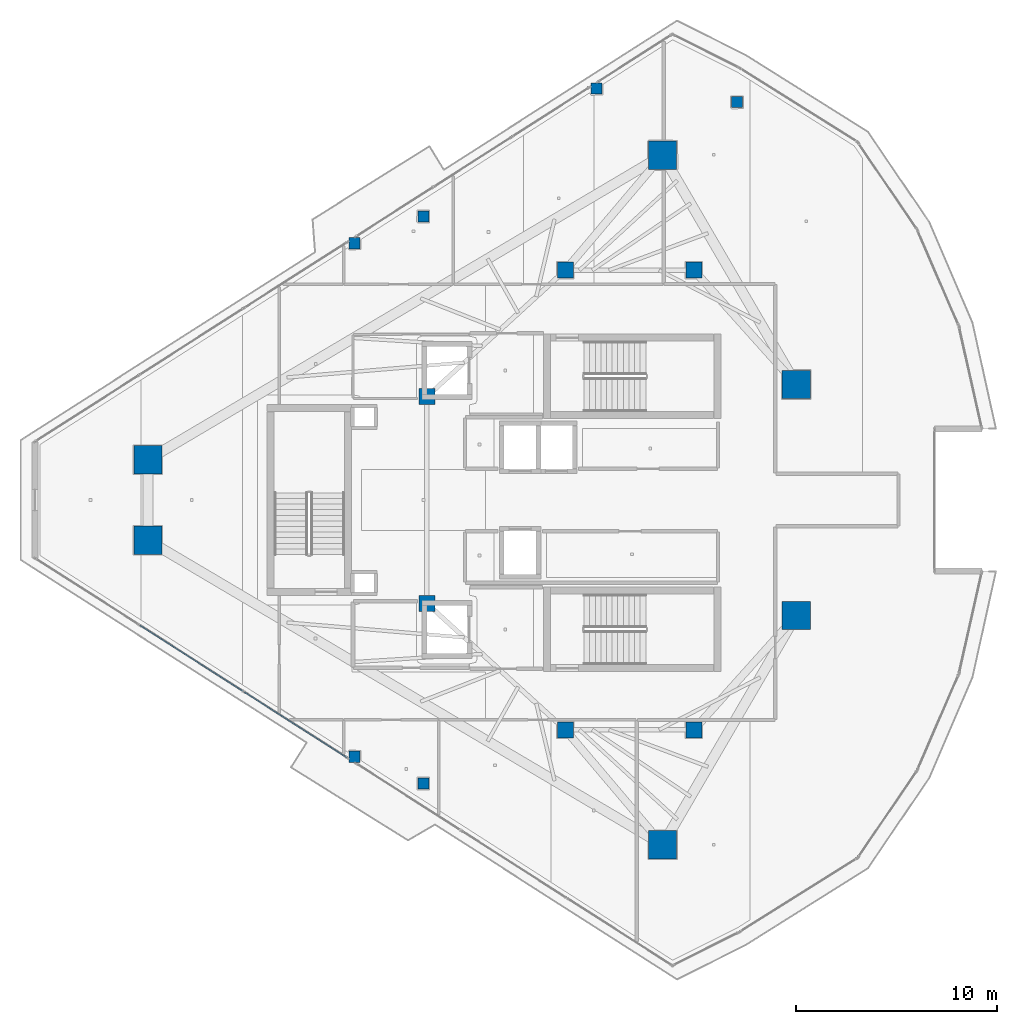
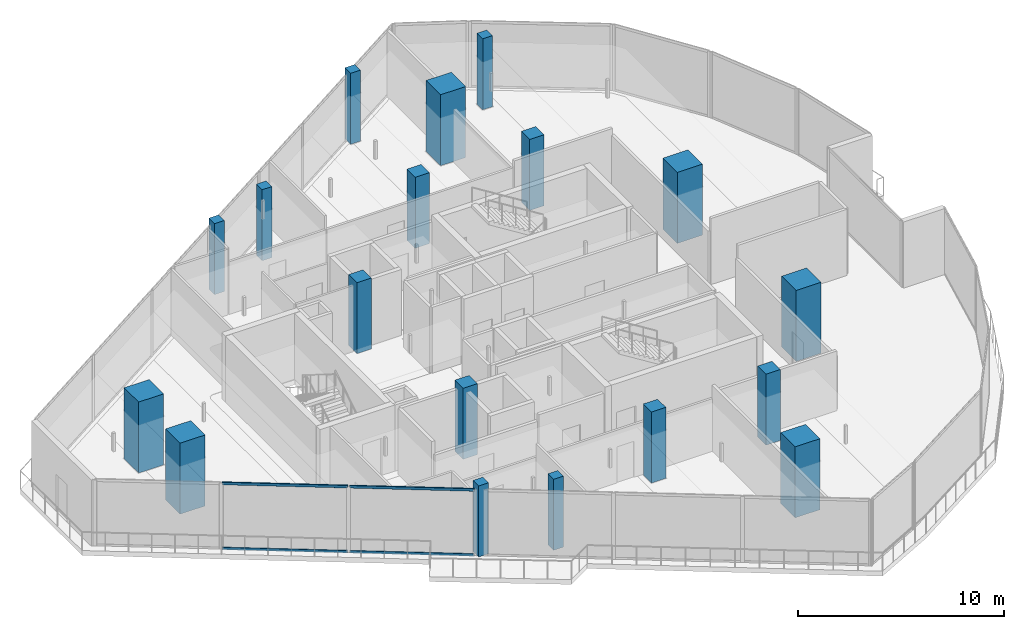
# One storey, part 1 of 27: 18 columns, 4 members, 1 element without a shape of its own.
"""IFC4 building model written with IfcOpenShell, lengths in metres."""

from ifc_helpers import new_model, si_unit, direction, frame, origin, origin_2d, place, context, subcontext, project, spatial, rectangle, hollow_rectangle, extrude, material, layer, layer_set, material_profile, profile_set, type_object, element, aggregate, save


model = new_model("IFC4")

# Units and contexts
model_context = context("Model", 3, precision=1e-05, world=origin(), true_north=direction((0.0, 1.0)))
body_context = subcontext(model_context, "Body", "Model", "MODEL_VIEW")
ifc_project = project(units=[si_unit("LENGTHUNIT", "METRE"), si_unit("AREAUNIT", "SQUARE_METRE"), si_unit("VOLUMEUNIT", "CUBIC_METRE"), si_unit("PLANEANGLEUNIT", "RADIAN"), si_unit("MASSUNIT", "GRAM", prefix="KILO")], contexts=[model_context])

# Site, building, storey
site_placement = place(None, origin())
site = spatial("IfcSite", under=ifc_project, at=site_placement, CompositionType="ELEMENT")
building_placement = place(site_placement, origin())
building = spatial("IfcBuilding", under=site, at=building_placement, Name="Qorvath Tower", CompositionType="ELEMENT")
storey_placement = place(building_placement, frame((0.0, 0.0, 293.39990234375)))
storey = spatial("IfcBuildingStorey", under=building, at=storey_placement, Name="L68", CompositionType="ELEMENT", Elevation=293.39990234375)

# Columns
ifc_material_1 = material(Name="Concrete C50/60", Category="concrete")
ifc_material_profile_1 = material_profile(ifc_material_1, rectangle(XDim=1.39990234375, YDim=1.39990234375, at=origin_2d()), Name="MC 1400x1400")
ifc_profile_set_1 = profile_set([ifc_material_profile_1], Name="Concrete C50/60")
column_type_1 = type_object("IfcColumnType", Name="COL-MC6", PredefinedType="COLUMN", material=ifc_profile_set_1)
for number, where, z_axis, x_axis, name in (
    (1, (-44.402587890625, 2.007568359375, 0.0), (0.0, 0.0, 1.0), (1.0, 0.0, 0.0), "Composite Mega-Column MC1 L68"),
    (2, (-44.402587890625, -2.007568359375, 0.0), (0.0, 0.0, 1.0), (1.0, 0.0, 0.0), "Composite Mega-Column MC2 L68"),
    (3, (-18.75048828125, -17.175537109375, 0.0), (0.0, 0.0, 1.0), (1.0, 0.0, 0.0), "Composite Mega-Column MC3 L68"),
    (4, (-12.0966796875, -5.7578125, 0.0), (0.0, 0.0, 1.0), (1.0, 0.0, 0.0), "Composite Mega-Column MC4 L68"),
    (5, (-12.0966796875, 5.7578125, 0.0), (0.0, 0.0, 1.0), (1.0, 0.0, 0.0), "Composite Mega-Column MC5 L68"),
    (6, (-18.75048828125, 17.175537109375, 0.0), (0.0, 0.0, 1.0), (1.0, 0.0, 0.0), "Composite Mega-Column MC6 L68"),
):
    element("IfcColumn", number, at=place(storey_placement, frame(where, z_axis=z_axis, x_axis=x_axis)), inside=storey, type_object=column_type_1, Name=name, PredefinedType="COLUMN", context=body_context, shape_type="SweptSolid", body=[
        extrude(rectangle(XDim=1.39990234375, YDim=1.39990234375, at=origin_2d()), origin(), (0.0, 0.0, 1.0), 4.2001953125),
    ])
ifc_material_2 = material(Name="Concrete C50/60", Category="concrete")
ifc_material_profile_2 = material_profile(ifc_material_2, rectangle(XDim=0.800048828125, YDim=0.800048828125, at=origin_2d()), Name="RC 800x800")
ifc_profile_set_2 = profile_set([ifc_material_profile_2], Name="Concrete C50/60")
column_type_2 = type_object("IfcColumnType", Name="COL-RC4", PredefinedType="COLUMN", material=ifc_profile_set_2)
for number, where, z_axis, x_axis, name in (
    (7, (-23.60009765625, 11.449951171875, 0.0), (0.0, 0.0, 1.0), (1.0, 0.0, 0.0), "Core Spine Column CC1 L68"),
    (8, (-17.199951171875, 11.449951171875, 0.0), (0.0, 0.0, 1.0), (1.0, 0.0, 0.0), "Core Spine Column CC2 L68"),
    (9, (-17.199951171875, -11.449951171875, 0.0), (0.0, 0.0, 1.0), (1.0, 0.0, 0.0), "Core Spine Column CC3 L68"),
    (10, (-23.60009765625, -11.449951171875, 0.0), (0.0, 0.0, 1.0), (1.0, 0.0, 0.0), "Core Spine Column CC4 L68"),
    (11, (-30.5, 5.14990234375, 0.0), (0.0, 0.0, 1.0), (1.0, 0.0, 0.0), "Core Spine Column CC5 L68"),
    (12, (-30.5, -5.14990234375, 0.0), (0.0, 0.0, 1.0), (1.0, 0.0, 0.0), "Core Spine Column CC6 L68"),
):
    element("IfcColumn", number, at=place(storey_placement, frame(where, z_axis=z_axis, x_axis=x_axis)), inside=storey, type_object=column_type_2, Name=name, PredefinedType="COLUMN", context=body_context, shape_type="SweptSolid", body=[
        extrude(rectangle(XDim=0.800048828125, YDim=0.800048828125, at=origin_2d()), origin(), (0.0, 0.0, 1.0), 4.2001953125),
    ])
ifc_material_3 = material(Name="Concrete C45/55", Category="concrete")
ifc_material_profile_3 = material_profile(ifc_material_3, rectangle(XDim=0.550048828125, YDim=0.550048828125, at=origin_2d()), Name="RC 550x550")
ifc_profile_set_3 = profile_set([ifc_material_profile_3], Name="Concrete C45/55")
column_type_3 = type_object("IfcColumnType", Name="COL-RC7", PredefinedType="COLUMN", material=ifc_profile_set_3)
for number, where, z_axis, x_axis, name in (
    (13, (-34.104248046875, 12.79248046875, 0.0), (0.0, 0.0, 1.0), (1.0, 0.0, 0.0), "Loggia Frame Pier Column LGG1 L68"),
    (14, (-34.104248046875, -12.79248046875, 0.0), (0.0, 0.0, 1.0), (1.0, 0.0, 0.0), "Loggia Frame Pier Column LGG2 L68"),
    (15, (-22.05322265625, 20.494873046875, 0.0), (0.0, 0.0, 1.0), (1.0, 0.0, 0.0), "Loggia Frame Pier Column LGG3 L68"),
    (16, (-30.67724609375, 14.124267578125, 0.0), (0.0, 0.0, 1.0), (1.0, 0.0, 0.0), "Loggia Frame Pier Column LGH1 L68"),
    (17, (-30.67724609375, -14.124267578125, 0.0), (0.0, 0.0, 1.0), (1.0, 0.0, 0.0), "Loggia Frame Pier Column LGH2 L68"),
    (18, (-15.046142578125, 19.818115234375, 0.0), (0.0, 0.0, 1.0), (1.0, 0.0, 0.0), "Loggia Frame Pier Column LGH3 L68"),
):
    element("IfcColumn", number, at=place(storey_placement, frame(where, z_axis=z_axis, x_axis=x_axis)), inside=storey, type_object=column_type_3, Name=name, PredefinedType="COLUMN", context=body_context, shape_type="SweptSolid", body=[
        extrude(rectangle(XDim=0.550048828125, YDim=0.550048828125, at=origin_2d()), origin(), (0.0, 0.0, 1.0), 4.2001953125),
    ])

# Curtain wall, members
ifc_material_4 = material(Name="Anodised aluminium and triple low-E glass", Category="aluminium")
ifc_layer = layer(ifc_material_4, 0.179931640625)
ifc_layer_set = layer_set([ifc_layer], Name="CW-SYS-5")
curtain_wall_type = type_object("IfcCurtainWallType", Name="CW-SYS-5", PredefinedType="NOTDEFINED", material=ifc_layer_set)
curtain_wall_placement = place(storey_placement, origin())
curtain_wall = element("IfcCurtainWall", 19, at=curtain_wall_placement, inside=storey, type_object=curtain_wall_type, Name="Curtain Wall CW-5 CW-T-L68-2.1", PredefinedType="NOTDEFINED")
ifc_material_5 = material(Name="Anodised aluminium 6063-T6", Category="aluminium")
ifc_material_profile_4 = material_profile(ifc_material_5, hollow_rectangle(XDim=0.06494140625, YDim=0.159912109375, WallThickness=0.00341796875, InnerFilletRadius=0.00341796875, OuterFilletRadius=0.007080078125, at=origin_2d()), Name="CWT 160x65")
ifc_profile_set_4 = profile_set([ifc_material_profile_4], Name="Anodised aluminium 6063-T6")
member_type = type_object("IfcMemberType", Name="CWT-160", PredefinedType="USERDEFINED", material=ifc_profile_set_4)
member_1_placement = place(storey_placement, frame((-44.79638671875, -6.2451171875, 0.032470703125), z_axis=(0.8426114894, -0.538521938208, 0.0), x_axis=(0.538521938208, 0.8426114894, 0.0)))
member_1 = element("IfcMember", 20, at=member_1_placement, type_object=member_type, Name="CW-5 transom 2.1", ObjectType="TRANSOM", PredefinedType="USERDEFINED", context=body_context, shape_type="SweptSolid", body=[
    extrude(hollow_rectangle(XDim=0.06494140625, YDim=0.159912109375, WallThickness=0.00341796875, InnerFilletRadius=0.00341796875, OuterFilletRadius=0.007080078125, at=origin_2d()), origin(), (0.0, 0.0, 1.0), 6.098388671875),
])
member_2_placement = place(storey_placement, frame((-44.79638671875, -6.2451171875, 3.877685546875), z_axis=(0.8426114894, -0.538521938208, 0.0), x_axis=(0.538521938208, 0.8426114894, 0.0)))
member_2 = element("IfcMember", 21, at=member_2_placement, type_object=member_type, Name="CW-5 transom 2.2", ObjectType="TRANSOM", PredefinedType="USERDEFINED", context=body_context, shape_type="SweptSolid", body=[
    extrude(hollow_rectangle(XDim=0.06494140625, YDim=0.159912109375, WallThickness=0.00341796875, InnerFilletRadius=0.00341796875, OuterFilletRadius=0.007080078125, at=origin_2d()), origin(), (0.0, 0.0, 1.0), 6.098388671875),
])
member_3_placement = place(storey_placement, frame((-39.594482421875, -9.56982421875, 0.032470703125), z_axis=(0.842591668599, -0.538552950051, 0.0), x_axis=(0.538552950051, 0.842591668599, 0.0)))
member_3 = element("IfcMember", 22, at=member_3_placement, type_object=member_type, Name="CW-5 transom 3.1", ObjectType="TRANSOM", PredefinedType="USERDEFINED", context=body_context, shape_type="SweptSolid", body=[
    extrude(hollow_rectangle(XDim=0.06494140625, YDim=0.159912109375, WallThickness=0.00341796875, InnerFilletRadius=0.00341796875, OuterFilletRadius=0.007080078125, at=origin_2d()), origin(), (0.0, 0.0, 1.0), 6.06103515625),
])
member_4_placement = place(storey_placement, frame((-39.594482421875, -9.56982421875, 3.877685546875), z_axis=(0.842591668599, -0.538552950051, 0.0), x_axis=(0.538552950051, 0.842591668599, 0.0)))
member_4 = element("IfcMember", 23, at=member_4_placement, type_object=member_type, Name="CW-5 transom 3.2", ObjectType="TRANSOM", PredefinedType="USERDEFINED", context=body_context, shape_type="SweptSolid", body=[
    extrude(hollow_rectangle(XDim=0.06494140625, YDim=0.159912109375, WallThickness=0.00341796875, InnerFilletRadius=0.00341796875, OuterFilletRadius=0.007080078125, at=origin_2d()), origin(), (0.0, 0.0, 1.0), 6.06103515625),
])
aggregate(curtain_wall, [member_1, member_2, member_3, member_4])

save(model, "model.ifc")
